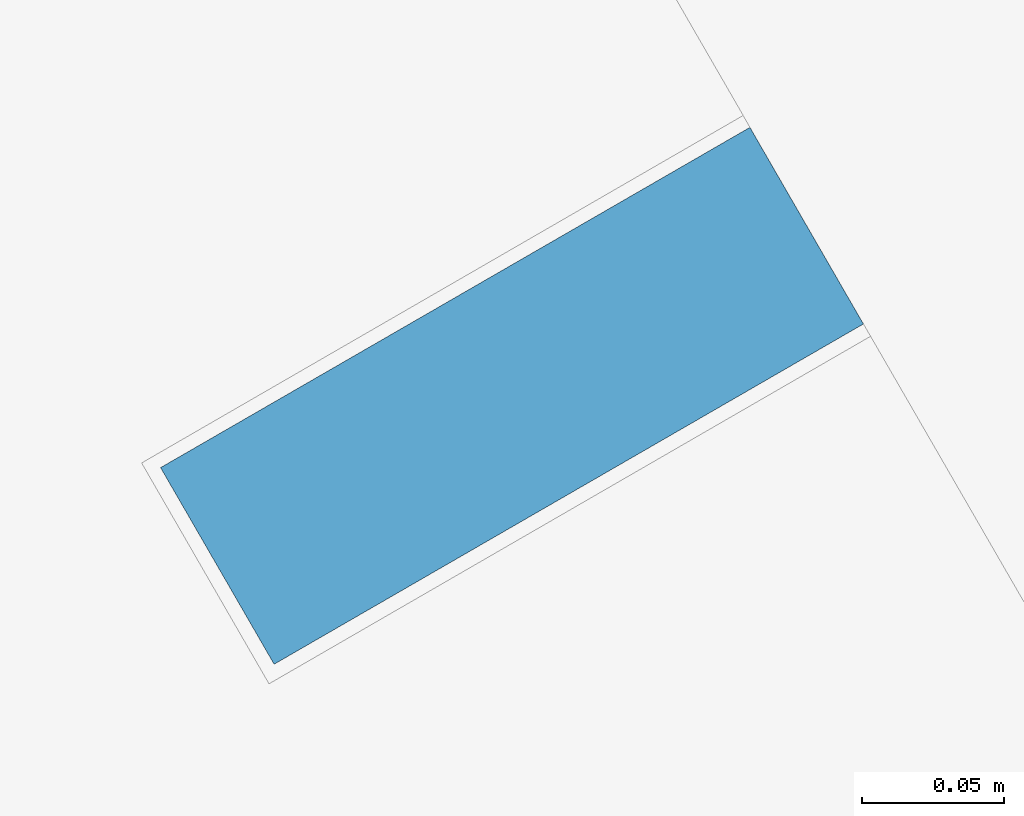
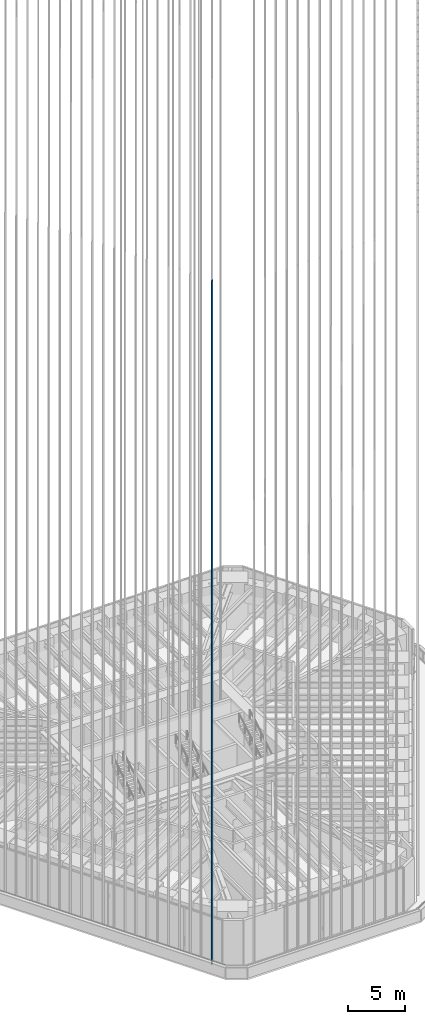
# One storey, part 16 of 228: 1 member, 1 element without a shape of its own.
"""IFC4 building model written with IfcOpenShell, lengths in metres."""

from ifc_helpers import new_model, si_unit, direction, frame, origin, origin_2d, place, context, subcontext, project, spatial, rectangle, extrude, material, material_profile, profile_set, type_object, element, aggregate, save


model = new_model("IFC4")

# Units and contexts
model_context = context("Model", 3, precision=1e-05, world=origin(), true_north=direction((0.0, 1.0)))
body_context = subcontext(model_context, "Body", "Model", "MODEL_VIEW")
ifc_project = project(units=[si_unit("LENGTHUNIT", "METRE"), si_unit("AREAUNIT", "SQUARE_METRE"), si_unit("VOLUMEUNIT", "CUBIC_METRE"), si_unit("PLANEANGLEUNIT", "RADIAN"), si_unit("MASSUNIT", "GRAM", prefix="KILO")], contexts=[model_context])

# Site, building, storey
site_placement = place(None, origin())
site = spatial("IfcSite", under=ifc_project, at=site_placement, CompositionType="ELEMENT")
building_placement = place(site_placement, origin())
building = spatial("IfcBuilding", under=site, at=building_placement, Name="Sandreach Pilgrim Tower", CompositionType="ELEMENT")
storey_placement = place(building_placement, frame((0.0, 0.0, 178.199951171875)))
storey = spatial("IfcBuildingStorey", under=building, at=storey_placement, Name="L44", CompositionType="ELEMENT", Elevation=178.199951171875)

# Curtain wall, member
ifc_material_1 = material(Name="Aluminium framed curtain wall", Category="aluminium")
curtain_wall_type = type_object("IfcCurtainWallType", Name="Upper hotel tower curtain wall", PredefinedType="NOTDEFINED", material=ifc_material_1)
curtain_wall_placement = place(storey_placement, origin())
curtain_wall = element("IfcCurtainWall", 1, at=curtain_wall_placement, inside=storey, type_object=curtain_wall_type, Name="CW-3 L44 SW", PredefinedType="NOTDEFINED")
ifc_material_2 = material(Name="Extruded terracotta on aluminium core", Category="masonry")
ifc_material_profile = material_profile(ifc_material_2, rectangle(XDim=0.080078125, YDim=0.239990234375, at=origin_2d()), Name="TBW 80X240")
ifc_profile_set = profile_set([ifc_material_profile], Name="Extruded terracotta on aluminium core")
member_type = type_object("IfcMemberType", Name="Terracotta baguette west", PredefinedType="USERDEFINED", material=ifc_profile_set)
member_placement = place(storey_placement, frame((-10.423828125, -25.105712890625, 0.0), z_axis=(0.0, 0.0, 1.0), x_axis=(-0.5, 0.866025403784, 0.0)))
member = element("IfcMember", 2, at=member_placement, type_object=member_type, Name="Baguette Z3 SW01", ObjectType="BAGUETTE", PredefinedType="USERDEFINED", context=body_context, shape_type="SweptSolid", body=[
    extrude(rectangle(XDim=0.080078125, YDim=0.239990234375, at=origin_2d()), origin(), (0.0, 0.0, 1.0), 73.239990234375),
])
aggregate(curtain_wall, [member])

save(model, "model.ifc")
